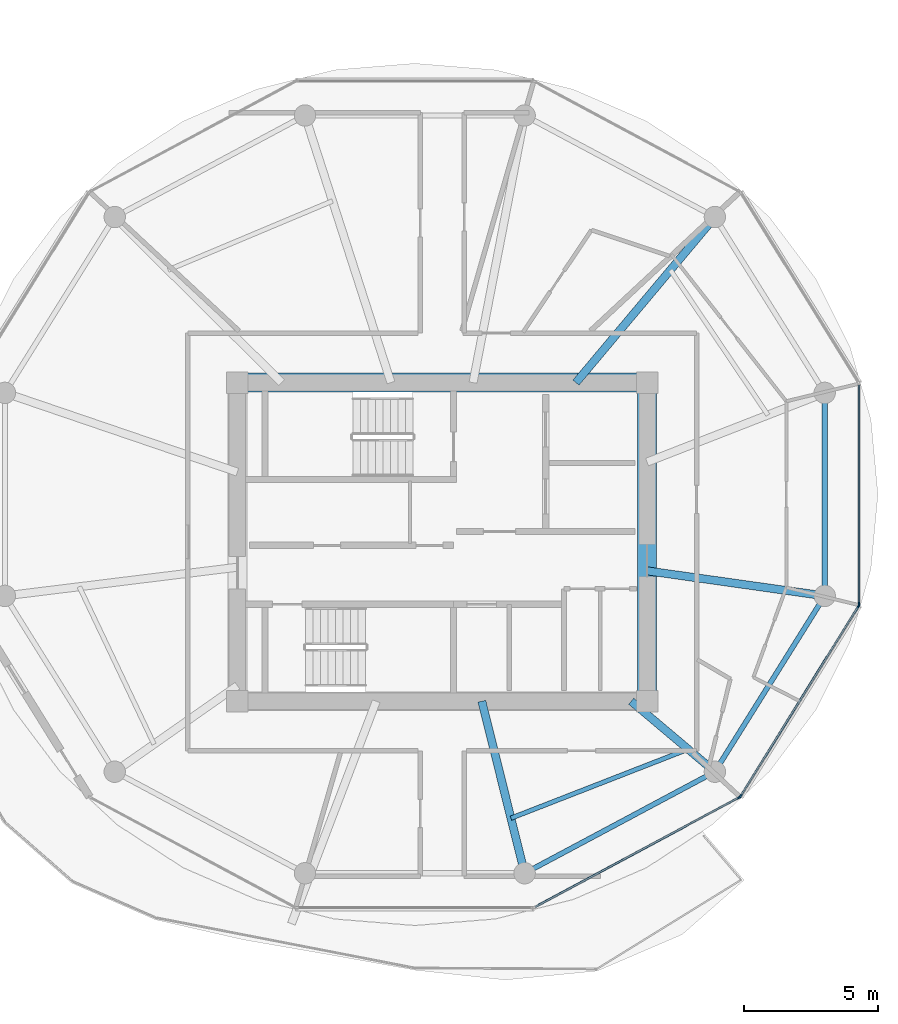
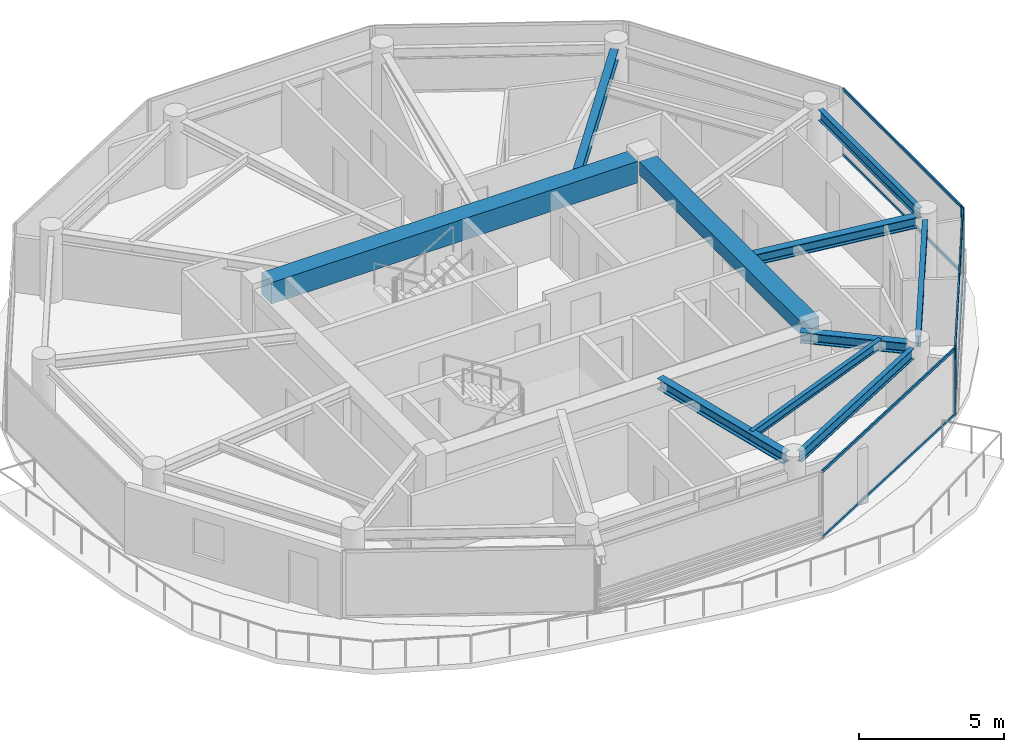
# One storey, part 9 of 21: 10 beams, 10 members, 3 elements without a shape of their own.
"""IFC4 building model written with IfcOpenShell, lengths in metres."""

from ifc_helpers import new_model, si_unit, direction, frame, origin, origin_2d, place, context, subcontext, project, spatial, rectangle, i_section, extrude, source, transform, mapped, material, layer, layer_set, material_profile, profile_set, type_object, type_shapes, element, aggregate, save


model = new_model("IFC4")

# Units and contexts
model_context = context("Model", 3, precision=1e-05, world=origin(), true_north=direction((0.0, 1.0)))
body_context = subcontext(model_context, "Body", "Model", "MODEL_VIEW")
ifc_project = project(units=[si_unit("LENGTHUNIT", "METRE"), si_unit("AREAUNIT", "SQUARE_METRE"), si_unit("VOLUMEUNIT", "CUBIC_METRE"), si_unit("PLANEANGLEUNIT", "RADIAN"), si_unit("MASSUNIT", "GRAM", prefix="KILO")], contexts=[model_context])

# Site, building, storey
site_placement = place(None, origin())
site = spatial("IfcSite", under=ifc_project, at=site_placement, CompositionType="ELEMENT")
building_placement = place(site_placement, origin())
building = spatial("IfcBuilding", under=site, at=building_placement, Name="Norrkilde Senior Care Towers", CompositionType="ELEMENT")
storey_placement = place(building_placement, frame((0.0, 0.0, 143.449951171875)))
storey = spatial("IfcBuildingStorey", under=building, at=storey_placement, Name="L44", CompositionType="ELEMENT", Elevation=143.449951171875)

# Beams
ifc_material_1 = material(Name="Concrete C60/75", Category="concrete")
ifc_material_profile_1 = material_profile(ifc_material_1, rectangle(XDim=0.699951171875, YDim=0.89990234375, at=origin_2d()), Name="RC BM 700x900")
ifc_profile_set_1 = profile_set([ifc_material_profile_1], Name="Concrete C60/75")
beam_type_1 = type_object("IfcBeamType", Name="Core Coupling Girder 700x900", PredefinedType="USERDEFINED", material=ifc_profile_set_1)
shared_shape_1 = source(origin(), body_context, "Body", "SweptSolid", [
    extrude(rectangle(XDim=0.699951171875, YDim=0.89990234375, at=origin_2d()), origin(), (0.0, 0.0, 1.0), 14.5400390625),
])
type_shapes(beam_type_1, [shared_shape_1])
beam_1_placement = place(storey_placement, frame((20.72998046875, 5.949951171875, 2.360107421875), z_axis=(1.0, 0.0, 0.0), x_axis=(0.0, 1.0, 0.0)))
element("IfcBeam", 1, at=beam_1_placement, inside=storey, type_object=beam_type_1, Name="L44 Core E N Coupling Girder", ObjectType="GIRDER", PredefinedType="USERDEFINED", context=body_context, shape_type="MappedRepresentation", body=[
    mapped(shared_shape_1, transform((0.0, 0.0, 0.0), x_axis=(1.0, 0.0, 0.0), y_axis=(0.0, 1.0, 0.0), z_axis=(0.0, 0.0, 1.0), scale=1.0)),
])
ifc_material_profile_2 = material_profile(ifc_material_1, rectangle(XDim=0.699951171875, YDim=0.550048828125, at=origin_2d()), Name="RC BM 700x550")
ifc_profile_set_2 = profile_set([ifc_material_profile_2], Name="Concrete C60/75")
beam_type_2 = type_object("IfcBeamType", Name="Core Portal Coupling Beam 700x550", PredefinedType="USERDEFINED", material=ifc_profile_set_2)
shared_shape_2 = source(origin(), body_context, "Body", "SweptSolid", [
    extrude(rectangle(XDim=0.699951171875, YDim=0.550048828125, at=origin_2d()), origin(), (0.0, 0.0, 1.0), 11.14013671875),
])
type_shapes(beam_type_2, [shared_shape_2])
beam_2_placement = place(storey_placement, frame((35.64990234375, -5.570068359375, 2.53515625), z_axis=(0.0, 1.0, 0.0), x_axis=(-1.0, 0.0, 0.0)))
element("IfcBeam", 2, at=beam_2_placement, inside=storey, type_object=beam_type_2, Name="L44 Core E E Coupling Girder", ObjectType="GIRDER", PredefinedType="USERDEFINED", context=body_context, shape_type="MappedRepresentation", body=[
    mapped(shared_shape_2, transform((0.0, 0.0, 0.0), x_axis=(1.0, 0.0, 0.0), y_axis=(0.0, 1.0, 0.0), z_axis=(0.0, 0.0, 1.0), scale=1.0)),
])
ifc_material_2 = material(Name="Steel S355", Category="steel")
ifc_material_profile_3 = material_profile(ifc_material_2, i_section(OverallWidth=0.300048828125, OverallDepth=0.449951171875, WebThickness=0.013916015625, FlangeThickness=0.02587890625, FilletRadius=0.027099609375, at=origin_2d()), Name="HEB 450")
ifc_profile_set_3 = profile_set([ifc_material_profile_3], Name="Steel S355")
beam_type_3 = type_object("IfcBeamType", Name="Radial Floor Beam Z3 HEB450", PredefinedType="BEAM", material=ifc_profile_set_3)
shared_shape_3 = source(origin(), body_context, "Body", "SweptSolid", [
    extrude(i_section(OverallWidth=0.300048828125, OverallDepth=0.449951171875, WebThickness=0.013916015625, FlangeThickness=0.02587890625, FilletRadius=0.027099609375, at=origin_2d()), origin(), (0.0, 0.0, 1.0), 7.71337890625),
])
beam_3_placement = place(storey_placement, frame((32.992919921875, 5.949951171875, 2.5849609375), z_axis=(0.642808239864, 0.766027131872, 0.0), x_axis=(-0.766027131872, 0.642808239864, 0.0)))
element("IfcBeam", 3, at=beam_3_placement, inside=storey, type_object=beam_type_3, Name="L44 Drum E Radial Floor Beam 02", PredefinedType="BEAM", context=body_context, shape_type="MappedRepresentation", body=[
    mapped(shared_shape_3, transform((0.0, 0.0, 0.0), x_axis=(1.0, 0.0, 0.0), y_axis=(0.0, 1.0, 0.0), z_axis=(0.0, 0.0, 1.0), scale=1.0)),
])
ifc_material_profile_4 = material_profile(ifc_material_2, i_section(OverallWidth=0.18994140625, OverallDepth=0.449951171875, WebThickness=0.009521484375, FlangeThickness=0.0146484375, FilletRadius=0.02099609375, at=origin_2d()), Name="IPE 450")
ifc_profile_set_4 = profile_set([ifc_material_profile_4], Name="Steel S355")
beam_type_4 = type_object("IfcBeamType", Name="Perimeter Ring Spandrel Z3 IPE450", PredefinedType="SPANDREL", material=ifc_profile_set_4)
shared_shape_4 = source(origin(), body_context, "Body", "SweptSolid", [
    extrude(i_section(OverallWidth=0.18994140625, OverallDepth=0.449951171875, WebThickness=0.009521484375, FlangeThickness=0.0146484375, FilletRadius=0.02099609375, at=origin_2d()), origin(), (0.0, 0.0, 1.0), 6.86328125),
])
beam_4_placement = place(storey_placement, frame((42.284912109375, -1.65625, 2.5849609375), z_axis=(0.0, 1.0, 0.0), x_axis=(-1.0, 0.0, 0.0)))
element("IfcBeam", 4, at=beam_4_placement, inside=storey, type_object=beam_type_4, Name="L44 Drum E Perimeter Spandrel 12", PredefinedType="SPANDREL", context=body_context, shape_type="MappedRepresentation", body=[
    mapped(shared_shape_4, transform((0.0, 0.0, 0.0), x_axis=(1.0, 0.0, 0.0), y_axis=(0.0, 1.0, 0.0), z_axis=(0.0, 0.0, 1.0), scale=1.0)),
])
shared_shape_5 = source(origin(), body_context, "Body", "SweptSolid", [
    extrude(i_section(OverallWidth=0.18994140625, OverallDepth=0.449951171875, WebThickness=0.009521484375, FlangeThickness=0.0146484375, FilletRadius=0.02099609375, at=origin_2d()), origin(), (0.0, 0.0, 1.0), 7.023193359375),
])
beam_5_placement = place(storey_placement, frame((38.373291015625, -8.2783203125, 2.5849609375), z_axis=(0.529805197269, 0.848119362441, 0.0), x_axis=(-0.848119362441, 0.529805197269, 0.0)))
element("IfcBeam", 5, at=beam_5_placement, inside=storey, type_object=beam_type_4, Name="L44 Drum E Perimeter Spandrel 11", PredefinedType="SPANDREL", context=body_context, shape_type="MappedRepresentation", body=[
    mapped(shared_shape_5, transform((0.0, 0.0, 0.0), x_axis=(1.0, 0.0, 0.0), y_axis=(0.0, 1.0, 0.0), z_axis=(0.0, 0.0, 1.0), scale=1.0)),
])
shared_shape_6 = source(origin(), body_context, "Body", "SweptSolid", [
    extrude(i_section(OverallWidth=0.300048828125, OverallDepth=0.449951171875, WebThickness=0.013916015625, FlangeThickness=0.02587890625, FilletRadius=0.027099609375, at=origin_2d()), origin(), (0.0, 0.0, 1.0), 6.3408203125),
])
beam_6_placement = place(storey_placement, frame((35.64990234375, -1.079833984375, 2.5849609375), z_axis=(0.990184519576, -0.139766294905, 0.0), x_axis=(0.139766294905, 0.990184519576, 0.0)))
element("IfcBeam", 6, at=beam_6_placement, inside=storey, type_object=beam_type_3, Name="L44 Drum E Radial Floor Beam 12", PredefinedType="BEAM", context=body_context, shape_type="MappedRepresentation", body=[
    mapped(shared_shape_6, transform((0.0, 0.0, 0.0), x_axis=(1.0, 0.0, 0.0), y_axis=(0.0, 1.0, 0.0), z_axis=(0.0, 0.0, 1.0), scale=1.0)),
])
shared_shape_7 = source(origin(), body_context, "Body", "SweptSolid", [
    extrude(i_section(OverallWidth=0.18994140625, OverallDepth=0.449951171875, WebThickness=0.009521484375, FlangeThickness=0.0146484375, FilletRadius=0.02099609375, at=origin_2d()), origin(), (0.0, 0.0, 1.0), 7.333984375),
])
type_shapes(beam_type_4, [shared_shape_4, shared_shape_5, shared_shape_7])
beam_7_placement = place(storey_placement, frame((31.394775390625, -12.2060546875, 2.5849609375), z_axis=(0.882234038987, 0.470811109101, 0.0), x_axis=(-0.470811109101, 0.882234038987, 0.0)))
element("IfcBeam", 7, at=beam_7_placement, inside=storey, type_object=beam_type_4, Name="L44 Drum E Perimeter Spandrel 10", PredefinedType="SPANDREL", context=body_context, shape_type="MappedRepresentation", body=[
    mapped(shared_shape_7, transform((0.0, 0.0, 0.0), x_axis=(1.0, 0.0, 0.0), y_axis=(0.0, 1.0, 0.0), z_axis=(0.0, 0.0, 1.0), scale=1.0)),
])
shared_shape_8 = source(origin(), body_context, "Body", "SweptSolid", [
    extrude(i_section(OverallWidth=0.300048828125, OverallDepth=0.449951171875, WebThickness=0.013916015625, FlangeThickness=0.02587890625, FilletRadius=0.027099609375, at=origin_2d()), origin(), (0.0, 0.0, 1.0), 3.7265625),
])
beam_8_placement = place(storey_placement, frame((35.058349609375, -5.949951171875, 2.5849609375), z_axis=(0.764567902106, -0.644543189453, 0.0), x_axis=(0.644543189453, 0.764567902106, 0.0)))
element("IfcBeam", 8, at=beam_8_placement, inside=storey, type_object=beam_type_3, Name="L44 Drum E Radial Floor Beam 11", PredefinedType="BEAM", context=body_context, shape_type="MappedRepresentation", body=[
    mapped(shared_shape_8, transform((0.0, 0.0, 0.0), x_axis=(1.0, 0.0, 0.0), y_axis=(0.0, 1.0, 0.0), z_axis=(0.0, 0.0, 1.0), scale=1.0)),
])
shared_shape_9 = source(origin(), body_context, "Body", "SweptSolid", [
    extrude(i_section(OverallWidth=0.300048828125, OverallDepth=0.449951171875, WebThickness=0.013916015625, FlangeThickness=0.02587890625, FilletRadius=0.027099609375, at=origin_2d()), origin(), (0.0, 0.0, 1.0), 6.26123046875),
])
type_shapes(beam_type_3, [shared_shape_3, shared_shape_6, shared_shape_8, shared_shape_9])
beam_9_placement = place(storey_placement, frame((29.4794921875, -5.949951171875, 2.5849609375), z_axis=(0.241324375921, -0.970444509277, 0.0), x_axis=(0.970444509277, 0.241324375921, 0.0)))
element("IfcBeam", 9, at=beam_9_placement, inside=storey, type_object=beam_type_3, Name="L44 Drum E Radial Floor Beam 10", PredefinedType="BEAM", context=body_context, shape_type="MappedRepresentation", body=[
    mapped(shared_shape_9, transform((0.0, 0.0, 0.0), x_axis=(1.0, 0.0, 0.0), y_axis=(0.0, 1.0, 0.0), z_axis=(0.0, 0.0, 1.0), scale=1.0)),
])
ifc_material_profile_5 = material_profile(ifc_material_2, i_section(OverallWidth=0.169921875, OverallDepth=0.360107421875, WebThickness=0.008056640625, FlangeThickness=0.0126953125, FilletRadius=0.01806640625, at=origin_2d()), Name="IPE 360")
ifc_profile_set_5 = profile_set([ifc_material_profile_5], Name="Steel S355")
beam_type_5 = type_object("IfcBeamType", Name="Secondary Floor Joist IPE360", PredefinedType="JOIST", material=ifc_profile_set_5)
shared_shape_10 = source(origin(), body_context, "Body", "SweptSolid", [
    extrude(i_section(OverallWidth=0.169921875, OverallDepth=0.360107421875, WebThickness=0.008056640625, FlangeThickness=0.0126953125, FilletRadius=0.01806640625, at=origin_2d()), origin(), (0.0, 0.0, 1.0), 7.1015625),
])
type_shapes(beam_type_5, [shared_shape_10])
beam_10_placement = place(storey_placement, frame((30.56591796875, -10.3193359375, 2.630126953125), z_axis=(0.931761231292, 0.363071629106, 0.0), x_axis=(-0.363071629106, 0.931761231292, 0.0)))
element("IfcBeam", 10, at=beam_10_placement, inside=storey, type_object=beam_type_5, Name="L44 Drum E Secondary Floor Joist 4", PredefinedType="JOIST", context=body_context, shape_type="MappedRepresentation", body=[
    mapped(shared_shape_10, transform((0.0, 0.0, 0.0), x_axis=(1.0, 0.0, 0.0), y_axis=(0.0, 1.0, 0.0), z_axis=(0.0, 0.0, 1.0), scale=1.0)),
])

# Curtain wall, member
ifc_material_3 = material(Name="Triple Low-E Insulated Glazing", Category="glass")
ifc_layer = layer(ifc_material_3, 0.18994140625)
ifc_layer_set = layer_set([ifc_layer], Name="Triple Low-E Insulated Glazing")
curtain_wall_type = type_object("IfcCurtainWallType", Name="CW4 Zone 3 Senior Residence Curtain Wall", PredefinedType="NOTDEFINED", material=ifc_layer_set)
curtain_wall_1_placement = place(storey_placement, origin())
curtain_wall_1 = element("IfcCurtainWall", 11, at=curtain_wall_1_placement, inside=storey, type_object=curtain_wall_type, Name="L44 Drum E Curtain Wall 09", PredefinedType="NOTDEFINED")
ifc_material_4 = material(Name="Anodised Aluminium", Category="aluminium")
ifc_material_profile_6 = material_profile(ifc_material_4, rectangle(XDim=0.06494140625, YDim=0.14990234375, at=origin_2d()), Name="ALU MULL 65x150")
ifc_profile_set_6 = profile_set([ifc_material_profile_6], Name="Anodised Aluminium")
member_type_1 = type_object("IfcMemberType", Name="Curtain Wall Mullion Z3-Z4 65x150", PredefinedType="MULLION", material=ifc_profile_set_6)
shared_shape_11 = source(origin(), body_context, "Body", "SweptSolid", [
    extrude(rectangle(XDim=0.06494140625, YDim=0.14990234375, at=origin_2d()), origin(), (0.0, 0.0, 1.0), 2.81005859375),
])
type_shapes(member_type_1, [shared_shape_11])
member_1_placement = place(storey_placement, frame((39.094482421875, -9.53955078125, 0.0), z_axis=(0.0, 0.0, 1.0), x_axis=(0.47311715104, -0.880999524059, 0.0)))
member_1 = element("IfcMember", 12, at=member_1_placement, type_object=member_type_1, Name="CW-4 mullion 1", PredefinedType="MULLION", context=body_context, shape_type="MappedRepresentation", body=[
    mapped(shared_shape_11, transform((0.0, 0.0, 0.0), x_axis=(1.0, 0.0, 0.0), y_axis=(0.0, 1.0, 0.0), z_axis=(0.0, 0.0, 1.0), scale=1.0)),
])

# Curtain wall, members
curtain_wall_2_placement = place(storey_placement, origin())
curtain_wall_2 = element("IfcCurtainWall", 13, at=curtain_wall_2_placement, inside=storey, type_object=curtain_wall_type, Name="L44 Drum E Curtain Wall 10", PredefinedType="NOTDEFINED")
member_2_placement = place(storey_placement, frame((43.552490234375, -2.38818359375, 0.0), z_axis=(0.0, 0.0, 1.0), x_axis=(0.84963405474, -0.52737270789, 0.0)))
member_2 = element("IfcMember", 14, at=member_2_placement, type_object=member_type_1, Name="CW-4 mullion 1", PredefinedType="MULLION", context=body_context, shape_type="MappedRepresentation", body=[
    mapped(shared_shape_11, transform((0.0, 0.0, 0.0), x_axis=(1.0, 0.0, 0.0), y_axis=(0.0, 1.0, 0.0), z_axis=(0.0, 0.0, 1.0), scale=1.0)),
])
member_3_placement = place(storey_placement, frame((39.14013671875, -9.49658203125, 0.0), z_axis=(0.0, 0.0, 1.0), x_axis=(0.84963405474, -0.52737270789, 0.0)))
member_3 = element("IfcMember", 15, at=member_3_placement, type_object=member_type_1, Name="CW-4 mullion 2", PredefinedType="MULLION", context=body_context, shape_type="MappedRepresentation", body=[
    mapped(shared_shape_11, transform((0.0, 0.0, 0.0), x_axis=(1.0, 0.0, 0.0), y_axis=(0.0, 1.0, 0.0), z_axis=(0.0, 0.0, 1.0), scale=1.0)),
])

# Curtain wall, member
curtain_wall_3_placement = place(storey_placement, origin())
curtain_wall_3 = element("IfcCurtainWall", 16, at=curtain_wall_3_placement, inside=storey, type_object=curtain_wall_type, Name="L44 Drum E Curtain Wall 11", PredefinedType="NOTDEFINED")
member_4_placement = place(storey_placement, frame((43.569580078125, -2.328125, 0.0), z_axis=(0.0, 0.0, 1.0), x_axis=(1.0, 0.0, 0.0)))
member_4 = element("IfcMember", 17, at=member_4_placement, type_object=member_type_1, Name="CW-4 mullion 2", PredefinedType="MULLION", context=body_context, shape_type="MappedRepresentation", body=[
    mapped(shared_shape_11, transform((0.0, 0.0, 0.0), x_axis=(1.0, 0.0, 0.0), y_axis=(0.0, 1.0, 0.0), z_axis=(0.0, 0.0, 1.0), scale=1.0)),
])

# Member
ifc_material_profile_7 = material_profile(ifc_material_4, rectangle(XDim=0.06005859375, YDim=0.1201171875, at=origin_2d()), Name="ALU TRAN 60x120")
ifc_profile_set_7 = profile_set([ifc_material_profile_7], Name="Anodised Aluminium")
member_type_2 = type_object("IfcMemberType", Name="Curtain Wall Transom Typical 60x120", PredefinedType="USERDEFINED", material=ifc_profile_set_7)
shared_shape_12 = source(origin(), body_context, "Body", "SweptSolid", [
    extrude(rectangle(XDim=0.06005859375, YDim=0.1201171875, at=origin_2d()), origin(), (0.0, 0.0, 1.0), 8.301513671875),
])
member_5_placement = place(storey_placement, frame((43.535400390625, -2.415771484375, 0.030029296875), z_axis=(-0.527368718394, -0.849636531029, 0.0), x_axis=(0.849636531029, -0.527368718394, 0.0)))
member_5 = element("IfcMember", 18, at=member_5_placement, type_object=member_type_2, Name="CW-4 transom 1.1", ObjectType="TRANSOM", PredefinedType="USERDEFINED", context=body_context, shape_type="MappedRepresentation", body=[
    mapped(shared_shape_12, transform((0.0, 0.0, 0.0), x_axis=(1.0, 0.0, 0.0), y_axis=(0.0, 1.0, 0.0), z_axis=(0.0, 0.0, 1.0), scale=1.0)),
])

member_6_placement = place(storey_placement, frame((43.535400390625, -2.415771484375, 2.780029296875), z_axis=(-0.527368718394, -0.849636531029, 0.0), x_axis=(0.849636531029, -0.527368718394, 0.0)))
member_6 = element("IfcMember", 19, at=member_6_placement, type_object=member_type_2, Name="CW-4 transom 1.2", ObjectType="TRANSOM", PredefinedType="USERDEFINED", context=body_context, shape_type="MappedRepresentation", body=[
    mapped(shared_shape_12, transform((0.0, 0.0, 0.0), x_axis=(1.0, 0.0, 0.0), y_axis=(0.0, 1.0, 0.0), z_axis=(0.0, 0.0, 1.0), scale=1.0)),
])

aggregate(curtain_wall_2, [member_2, member_3, member_5, member_6])

shared_shape_13 = source(origin(), body_context, "Body", "SweptSolid", [
    extrude(rectangle(XDim=0.06005859375, YDim=0.1201171875, at=origin_2d()), origin(), (0.0, 0.0, 1.0), 8.612060546875),
])
member_7_placement = place(storey_placement, frame((39.06591796875, -9.554931640625, 0.030029296875), z_axis=(-0.881000337462, -0.473115636384, 0.0), x_axis=(0.473115636384, -0.881000337462, 0.0)))
member_7 = element("IfcMember", 20, at=member_7_placement, type_object=member_type_2, Name="CW-4 transom 1.1", ObjectType="TRANSOM", PredefinedType="USERDEFINED", context=body_context, shape_type="MappedRepresentation", body=[
    mapped(shared_shape_13, transform((0.0, 0.0, 0.0), x_axis=(1.0, 0.0, 0.0), y_axis=(0.0, 1.0, 0.0), z_axis=(0.0, 0.0, 1.0), scale=1.0)),
])

member_8_placement = place(storey_placement, frame((39.06591796875, -9.554931640625, 2.780029296875), z_axis=(-0.881000337462, -0.473115636384, 0.0), x_axis=(0.473115636384, -0.881000337462, 0.0)))
member_8 = element("IfcMember", 21, at=member_8_placement, type_object=member_type_2, Name="CW-4 transom 1.2", ObjectType="TRANSOM", PredefinedType="USERDEFINED", context=body_context, shape_type="MappedRepresentation", body=[
    mapped(shared_shape_13, transform((0.0, 0.0, 0.0), x_axis=(1.0, 0.0, 0.0), y_axis=(0.0, 1.0, 0.0), z_axis=(0.0, 0.0, 1.0), scale=1.0)),
])

aggregate(curtain_wall_1, [member_1, member_7, member_8])

shared_shape_14 = source(origin(), body_context, "Body", "SweptSolid", [
    extrude(rectangle(XDim=0.06005859375, YDim=0.1201171875, at=origin_2d()), origin(), (0.0, 0.0, 1.0), 8.141845703125),
])
type_shapes(member_type_2, [shared_shape_12, shared_shape_13, shared_shape_14])
member_9_placement = place(storey_placement, frame((43.569580078125, 5.84619140625, 0.030029296875), z_axis=(0.0, -1.0, 0.0), x_axis=(1.0, 0.0, 0.0)))
member_9 = element("IfcMember", 22, at=member_9_placement, type_object=member_type_2, Name="CW-4 transom 1.1", ObjectType="TRANSOM", PredefinedType="USERDEFINED", context=body_context, shape_type="MappedRepresentation", body=[
    mapped(shared_shape_14, transform((0.0, 0.0, 0.0), x_axis=(1.0, 0.0, 0.0), y_axis=(0.0, 1.0, 0.0), z_axis=(0.0, 0.0, 1.0), scale=1.0)),
])

member_10_placement = place(storey_placement, frame((43.569580078125, 5.84619140625, 2.780029296875), z_axis=(0.0, -1.0, 0.0), x_axis=(1.0, 0.0, 0.0)))
member_10 = element("IfcMember", 23, at=member_10_placement, type_object=member_type_2, Name="CW-4 transom 1.2", ObjectType="TRANSOM", PredefinedType="USERDEFINED", context=body_context, shape_type="MappedRepresentation", body=[
    mapped(shared_shape_14, transform((0.0, 0.0, 0.0), x_axis=(1.0, 0.0, 0.0), y_axis=(0.0, 1.0, 0.0), z_axis=(0.0, 0.0, 1.0), scale=1.0)),
])

aggregate(curtain_wall_3, [member_4, member_9, member_10])

save(model, "model.ifc")
